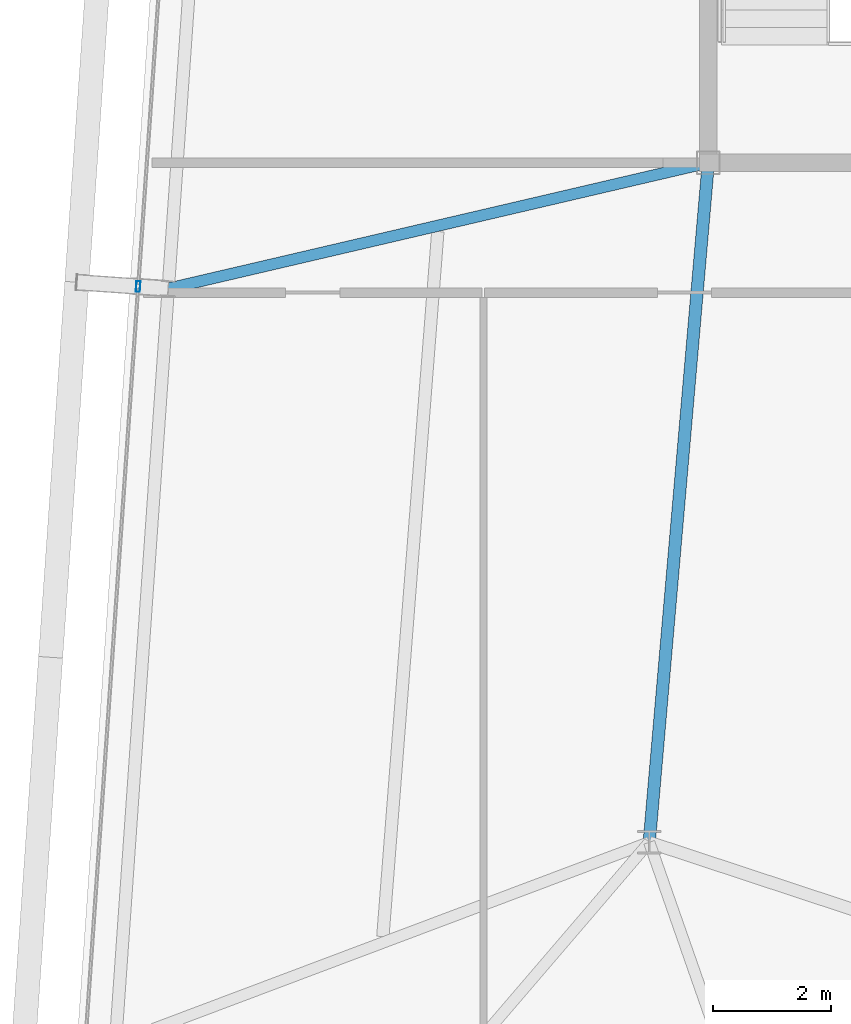
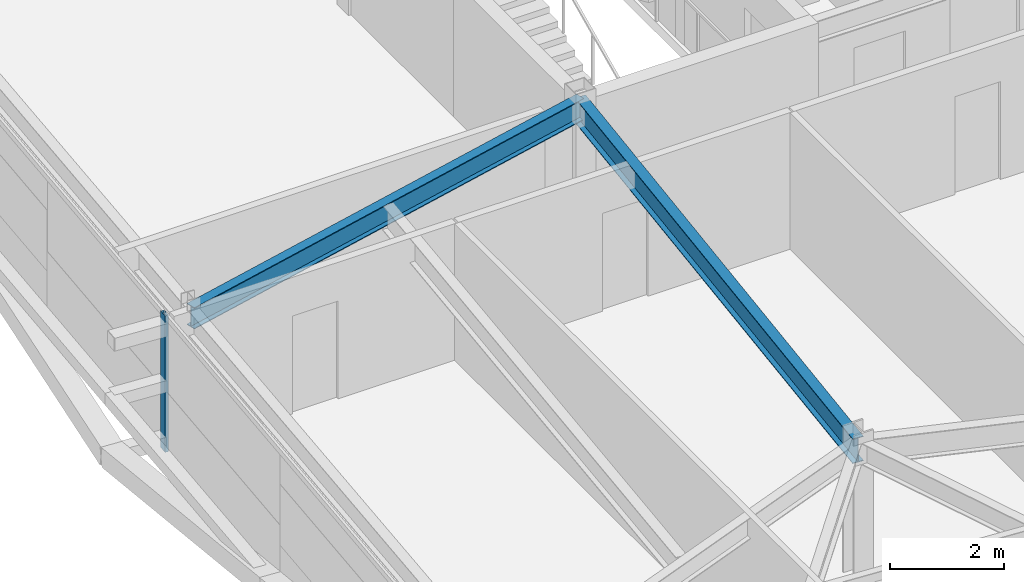
# One storey, part 11 of 39: 2 beams, 1 member, 1 element without a shape of its own.
"""IFC4 building model written with IfcOpenShell, lengths in metres."""

from ifc_helpers import new_model, si_unit, direction, frame, origin, origin_2d, place, context, subcontext, project, spatial, hollow_rectangle, i_section, extrude, source, transform, mapped, material, layer, layer_set, material_profile, profile_set, type_object, element, aggregate, save


model = new_model("IFC4")

# Units and contexts
model_context = context("Model", 3, precision=1e-05, world=origin(), true_north=direction((0.0, 1.0)))
body_context = subcontext(model_context, "Body", "Model", "MODEL_VIEW")
ifc_project = project(units=[si_unit("LENGTHUNIT", "METRE"), si_unit("AREAUNIT", "SQUARE_METRE"), si_unit("VOLUMEUNIT", "CUBIC_METRE"), si_unit("PLANEANGLEUNIT", "RADIAN"), si_unit("MASSUNIT", "GRAM", prefix="KILO")], contexts=[model_context])

# Site, building, storey
site_placement = place(None, origin())
site = spatial("IfcSite", under=ifc_project, at=site_placement, CompositionType="ELEMENT")
building_placement = place(site_placement, origin())
building = spatial("IfcBuilding", under=site, at=building_placement, Name="Taldren Reach Tower", CompositionType="ELEMENT")
storey_placement = place(building_placement, frame((0.0, 0.0, 136.14990234375)))
storey = spatial("IfcBuildingStorey", under=building, at=storey_placement, Name="L41", CompositionType="ELEMENT", Elevation=136.14990234375)

# Beams
ifc_material_1 = material(Name="Steel Gr 350 (350PLUS)", Category="steel")
ifc_material_profile_1 = material_profile(ifc_material_1, i_section(OverallWidth=0.208984375, OverallDepth=0.532958984375, WebThickness=0.01025390625, FlangeThickness=0.015625, at=origin_2d()), Name="530UB92.4")
ifc_profile_set_1 = profile_set([ifc_material_profile_1], Name="Steel Gr 350 (350PLUS)")
beam_type_1 = type_object("IfcBeamType", Name="BM-UB530A", PredefinedType="BEAM", material=ifc_profile_set_1)
shared_shape_1 = source(origin(), body_context, "Body", "SweptSolid", [
    extrude(i_section(OverallWidth=0.208984375, OverallDepth=0.532958984375, WebThickness=0.01025390625, FlangeThickness=0.015625, at=origin_2d()), origin(), (0.0, 0.0, 1.0), 11.54345703125),
])
beam_1_placement = place(storey_placement, frame((19.0, 24.0, 2.66357421875), z_axis=(-0.086629616365, -0.996240588196, 0.0), x_axis=(0.996240588196, -0.086629616365, 0.0)))
element("IfcBeam", 1, at=beam_1_placement, inside=storey, type_object=beam_type_1, Name="Core-spine girder L41-SP09", PredefinedType="BEAM", context=body_context, shape_type="MappedRepresentation", body=[
    mapped(shared_shape_1, transform((0.0, 0.0, 0.0), scale=1.0)),
])
ifc_material_profile_2 = material_profile(ifc_material_1, i_section(OverallWidth=0.19091796875, OverallDepth=0.4599609375, WebThickness=0.010009765625, FlangeThickness=0.01611328125, at=origin_2d()), Name="460UB82.1")
ifc_profile_set_2 = profile_set([ifc_material_profile_2], Name="Steel Gr 350 (350PLUS)")
beam_type_2 = type_object("IfcBeamType", Name="BM-UB460A", PredefinedType="BEAM", material=ifc_profile_set_2)
shared_shape_2 = source(origin(), body_context, "Body", "SweptSolid", [
    extrude(i_section(OverallWidth=0.19091796875, OverallDepth=0.4599609375, WebThickness=0.010009765625, FlangeThickness=0.01611328125, at=origin_2d()), origin(), (0.0, 0.0, 1.0), 9.383544921875),
])
beam_2_placement = place(storey_placement, frame((19.0, 24.0, 2.7001953125), z_axis=(-0.973856560651, -0.227163815951, 0.0), x_axis=(0.227163815951, -0.973856560651, 0.0)))
element("IfcBeam", 2, at=beam_2_placement, inside=storey, type_object=beam_type_2, Name="Primary floor girder B3-W2 L41", PredefinedType="BEAM", context=body_context, shape_type="MappedRepresentation", body=[
    mapped(shared_shape_2, transform((0.0, 0.0, 0.0), scale=1.0)),
])

# Curtain wall, member
ifc_material_2 = material(Name="Aluminium and Low-E Glass Unitised System", Category="aluminium")
ifc_layer = layer(ifc_material_2, 0.159912109375)
ifc_layer_set = layer_set([ifc_layer], Name="Aluminium and Low-E Glass Unitised System")
curtain_wall_type = type_object("IfcCurtainWallType", Name="CW-SYS-4", PredefinedType="NOTDEFINED", material=ifc_layer_set)
curtain_wall_placement = place(storey_placement, origin())
curtain_wall = element("IfcCurtainWall", 3, at=curtain_wall_placement, inside=storey, type_object=curtain_wall_type, Name="Unitised curtain wall CW-L41-W", PredefinedType="NOTDEFINED")
ifc_material_3 = material(Name="Anodised Aluminium 6063-T6", Category="aluminium")
ifc_material_profile_3 = material_profile(ifc_material_3, hollow_rectangle(XDim=0.070068359375, YDim=0.179931640625, WallThickness=0.00390625, at=origin_2d()), Name="ALU-180x70x4RHS")
ifc_profile_set_3 = profile_set([ifc_material_profile_3], Name="Anodised Aluminium 6063-T6")
member_type = type_object("IfcMemberType", Name="CW-MUL-180", PredefinedType="MULLION", material=ifc_profile_set_3)
shared_shape_3 = source(origin(), body_context, "Body", "SweptSolid", [
    extrude(hollow_rectangle(XDim=0.070068359375, YDim=0.179931640625, WallThickness=0.00390625, at=origin_2d()), origin(), (0.0, 0.0, 1.0), 2.93017578125),
])
member_placement = place(storey_placement, frame((9.35302734375, 21.90380859375, 0.0), z_axis=(0.0, 0.0, 1.0), x_axis=(0.997564052812, -0.069756437251, 0.0)))
member = element("IfcMember", 4, at=member_placement, type_object=member_type, Name="CW-4 mullion 2", PredefinedType="MULLION", context=body_context, shape_type="MappedRepresentation", body=[
    mapped(shared_shape_3, transform((0.0, 0.0, 0.0), scale=1.0)),
])
aggregate(curtain_wall, [member])

save(model, "model.ifc")
